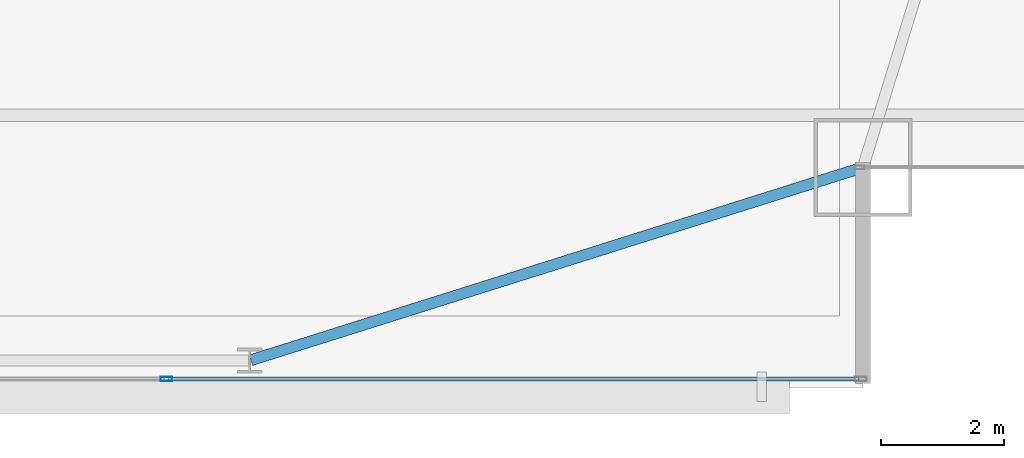
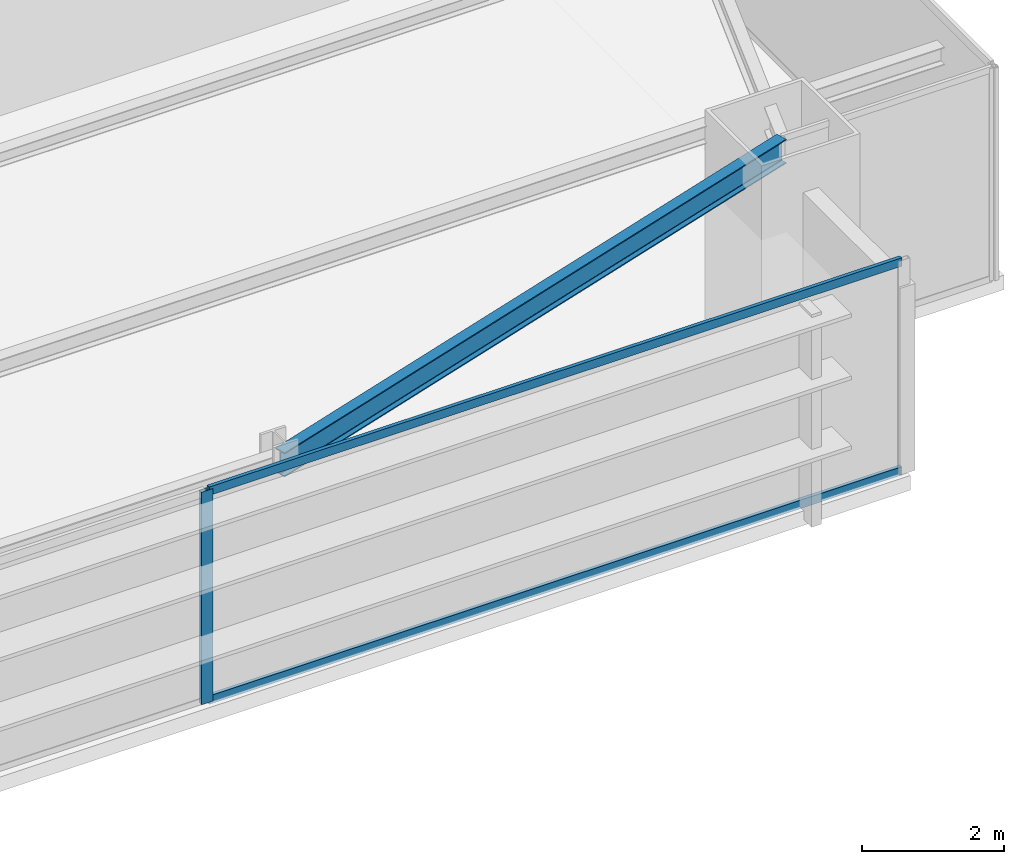
# One storey, part 14 of 30: 3 members, 1 beam, 1 element without a shape of its own.
"""IFC4 building model written with IfcOpenShell, lengths in metres."""

from ifc_helpers import new_model, si_unit, direction, frame, origin, origin_2d, place, context, subcontext, project, spatial, hollow_rectangle, i_section, extrude, source, transform, mapped, material, layer, layer_set, material_profile, profile_set, type_object, type_shapes, element, aggregate, save


model = new_model("IFC4")

# Units and contexts
model_context = context("Model", 3, precision=1e-05, world=origin(), true_north=direction((0.0, 1.0)))
body_context = subcontext(model_context, "Body", "Model", "MODEL_VIEW")
ifc_project = project(units=[si_unit("LENGTHUNIT", "METRE"), si_unit("AREAUNIT", "SQUARE_METRE"), si_unit("VOLUMEUNIT", "CUBIC_METRE"), si_unit("PLANEANGLEUNIT", "RADIAN"), si_unit("MASSUNIT", "GRAM", prefix="KILO")], contexts=[model_context])

# Site, building, storey
site_placement = place(None, origin())
site = spatial("IfcSite", under=ifc_project, at=site_placement, CompositionType="ELEMENT")
building_placement = place(site_placement, origin())
building = spatial("IfcBuilding", under=site, at=building_placement, Name="Varnel Quay Broadcast Tower", CompositionType="ELEMENT")
storey_placement = place(building_placement, frame((0.0, 0.0, 62.699951171875)))
storey = spatial("IfcBuildingStorey", under=building, at=storey_placement, Name="L14", CompositionType="ELEMENT", Elevation=62.699951171875)

# Beam
ifc_material_1 = material(Name="Structural Steel CSA G40.21 350W", Category="steel")
ifc_material_profile_1 = material_profile(ifc_material_1, i_section(OverallWidth=0.180908203125, OverallDepth=0.4169921875, WebThickness=0.010986328125, FlangeThickness=0.018310546875, FilletRadius=0.011962890625, at=origin_2d()), Name="W410X85")
ifc_profile_set_1 = profile_set([ifc_material_profile_1], Name="Structural Steel CSA G40.21 350W")
beam_type = type_object("IfcBeamType", Name="Beam_W410X85", PredefinedType="SPANDREL", material=ifc_profile_set_1)
shared_shape_1 = source(origin(), body_context, "Body", "SweptSolid", [
    extrude(i_section(OverallWidth=0.180908203125, OverallDepth=0.4169921875, WebThickness=0.010986328125, FlangeThickness=0.018310546875, FilletRadius=0.011962890625, at=origin_2d()), origin(), (0.0, 0.0, 1.0), 10.444091796875),
])
type_shapes(beam_type, [shared_shape_1])
beam_placement = place(storey_placement, frame((52.419189453125, 1.656005859375, 3.441650390625), z_axis=(0.953798277271, 0.300447743003, 0.0), x_axis=(-0.300447743003, 0.953798277271, 0.0)))
element("IfcBeam", 1, at=beam_placement, inside=storey, type_object=beam_type, Name="L14 South Spandrel TC-S5-MC-SE", PredefinedType="SPANDREL", context=body_context, shape_type="MappedRepresentation", body=[
    mapped(shared_shape_1, transform((0.0, 0.0, 0.0), x_axis=(1.0, 0.0, 0.0), y_axis=(0.0, 1.0, 0.0), z_axis=(0.0, 0.0, 1.0), scale=1.0)),
])

# Curtain wall, members
ifc_material_2 = material(Name="Anodised Bronze Aluminium 6063-T6", Category="aluminium")
ifc_layer = layer(ifc_material_2, 0.18994140625, Name="Anodised Bronze Aluminium 6063-T6")
ifc_layer_set = layer_set([ifc_layer], Name="Anodised Bronze Aluminium 6063-T6")
curtain_wall_type = type_object("IfcCurtainWallType", Name="CW_LowerTower", PredefinedType="NOTDEFINED", material=ifc_layer_set)
curtain_wall_placement = place(storey_placement, origin())
curtain_wall = element("IfcCurtainWall", 2, at=curtain_wall_placement, inside=storey, type_object=curtain_wall_type, Name="L14 South Unitised Curtain Wall 1", PredefinedType="NOTDEFINED")
ifc_material_profile_2 = material_profile(ifc_material_2, hollow_rectangle(XDim=0.06005859375, YDim=0.14501953125, WallThickness=0.00341796875, at=origin_2d()), Name="ALU60X145X3.5")
ifc_profile_set_2 = profile_set([ifc_material_profile_2], Name="Anodised Bronze Aluminium 6063-T6")
member_type_1 = type_object("IfcMemberType", Name="Tran_CWS-02", PredefinedType="USERDEFINED", material=ifc_profile_set_2)
shared_shape_2 = source(origin(), body_context, "Body", "SweptSolid", [
    extrude(hollow_rectangle(XDim=0.06005859375, YDim=0.14501953125, WallThickness=0.00341796875, at=origin_2d()), origin(), (0.0, 0.0, 1.0), 11.255126953125),
])
type_shapes(member_type_1, [shared_shape_2])
member_1_placement = place(storey_placement, frame((51.074951171875, 1.35009765625, 0.030029296875), z_axis=(1.0, 0.0, 0.0), x_axis=(0.0, 1.0, 0.0)))
member_1 = element("IfcMember", 3, at=member_1_placement, type_object=member_type_1, Name="CWS-02 transom 5.1", ObjectType="TRANSOM", PredefinedType="USERDEFINED", context=body_context, shape_type="MappedRepresentation", body=[
    mapped(shared_shape_2, transform((0.0, 0.0, 0.0), x_axis=(1.0, 0.0, 0.0), y_axis=(0.0, 1.0, 0.0), z_axis=(0.0, 0.0, 1.0), scale=1.0)),
])
member_2_placement = place(storey_placement, frame((51.074951171875, 1.35009765625, 3.6201171875), z_axis=(1.0, 0.0, 0.0), x_axis=(0.0, 1.0, 0.0)))
member_2 = element("IfcMember", 4, at=member_2_placement, type_object=member_type_1, Name="CWS-02 transom 5.2", ObjectType="TRANSOM", PredefinedType="USERDEFINED", context=body_context, shape_type="MappedRepresentation", body=[
    mapped(shared_shape_2, transform((0.0, 0.0, 0.0), x_axis=(1.0, 0.0, 0.0), y_axis=(0.0, 1.0, 0.0), z_axis=(0.0, 0.0, 1.0), scale=1.0)),
])
ifc_material_profile_3 = material_profile(ifc_material_2, hollow_rectangle(XDim=0.070068359375, YDim=0.18994140625, WallThickness=0.00390625, at=origin_2d()), Name="ALU70X190X4")
ifc_profile_set_3 = profile_set([ifc_material_profile_3], Name="Anodised Bronze Aluminium 6063-T6")
member_type_2 = type_object("IfcMemberType", Name="Mull_CWS-02", PredefinedType="MULLION", material=ifc_profile_set_3)
shared_shape_3 = source(origin(), body_context, "Body", "SweptSolid", [
    extrude(hollow_rectangle(XDim=0.070068359375, YDim=0.18994140625, WallThickness=0.00390625, at=origin_2d()), origin(), (0.0, 0.0, 1.0), 3.650146484375),
])
type_shapes(member_type_2, [shared_shape_3])
member_3_placement = place(storey_placement, frame((51.0400390625, 1.35009765625, 0.0), z_axis=(0.0, 0.0, 1.0), x_axis=(0.0, 1.0, 0.0)))
member_3 = element("IfcMember", 5, at=member_3_placement, type_object=member_type_2, Name="CWS-02 mullion 5", PredefinedType="MULLION", context=body_context, shape_type="MappedRepresentation", body=[
    mapped(shared_shape_3, transform((0.0, 0.0, 0.0), x_axis=(1.0, 0.0, 0.0), y_axis=(0.0, 1.0, 0.0), z_axis=(0.0, 0.0, 1.0), scale=1.0)),
])
aggregate(curtain_wall, [member_3, member_1, member_2])

save(model, "model.ifc")
